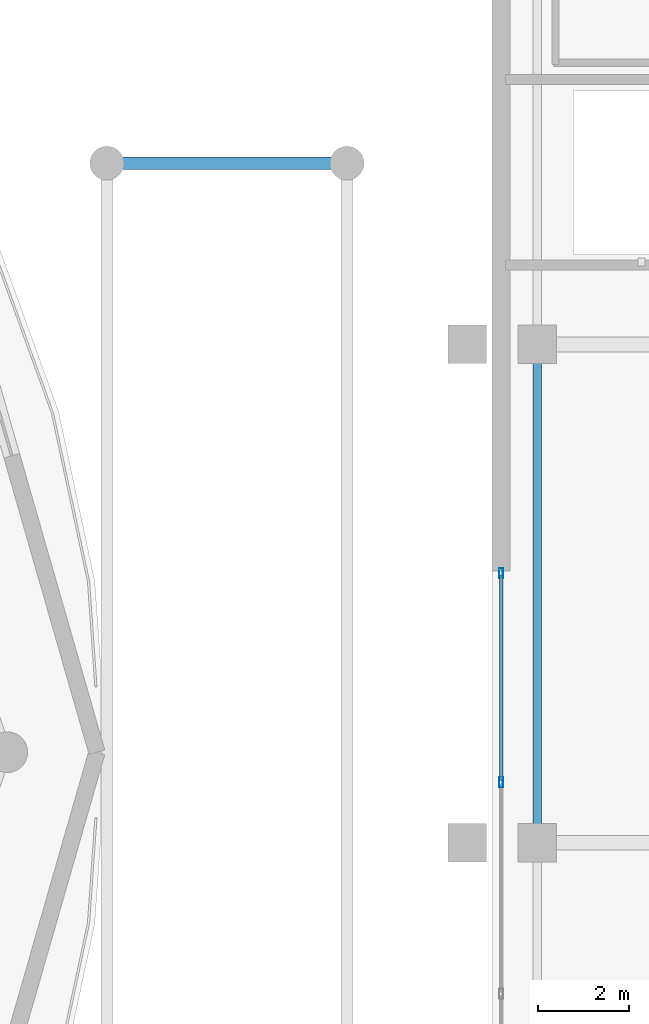
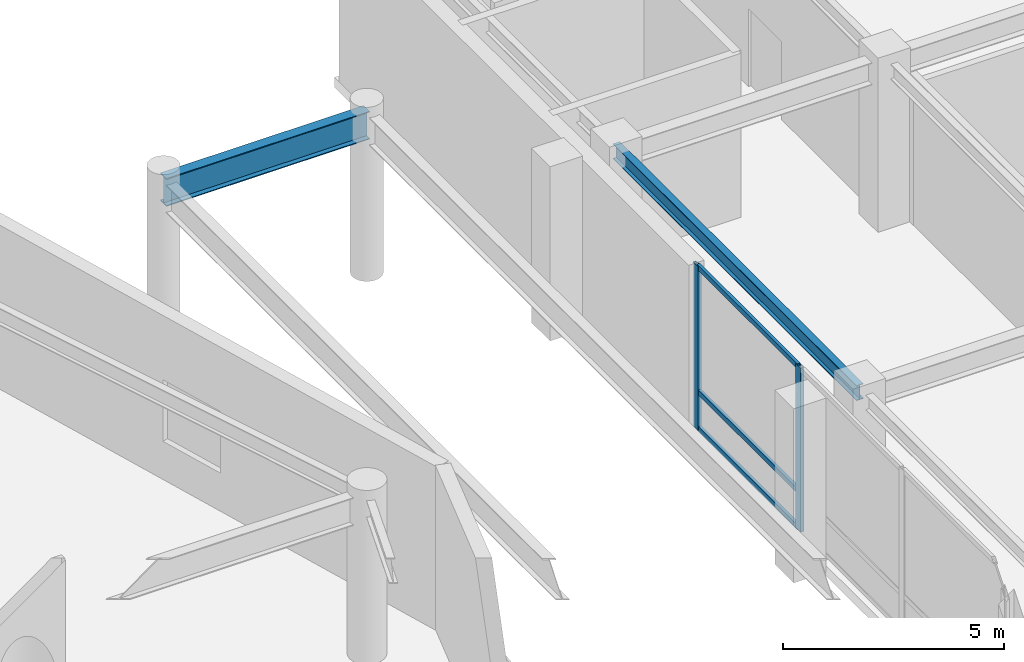
# One storey, part 18 of 40: 5 members, 2 beams, 1 element without a shape of its own.
"""IFC4 building model written with IfcOpenShell, lengths in metres."""

from ifc_helpers import new_model, si_unit, direction, frame, origin, origin_2d, place, context, subcontext, project, spatial, hollow_rectangle, i_section, extrude, material, layer, layer_set, material_profile, profile_set, type_object, element, aggregate, save


model = new_model("IFC4")

# Units and contexts
model_context = context("Model", 3, precision=1e-05, world=origin(), true_north=direction((0.0, 1.0)))
body_context = subcontext(model_context, "Body", "Model", "MODEL_VIEW")
ifc_project = project(units=[si_unit("LENGTHUNIT", "METRE"), si_unit("AREAUNIT", "SQUARE_METRE"), si_unit("VOLUMEUNIT", "CUBIC_METRE"), si_unit("PLANEANGLEUNIT", "RADIAN"), si_unit("MASSUNIT", "GRAM", prefix="KILO")], contexts=[model_context])

# Site, building, storey
site_placement = place(None, origin())
site = spatial("IfcSite", under=ifc_project, at=site_placement, CompositionType="ELEMENT")
building_placement = place(site_placement, origin())
building = spatial("IfcBuilding", under=site, at=building_placement, Name="Kazevale Care Tower and Concert Hall", CompositionType="ELEMENT")
storey_placement = place(building_placement, frame((0.0, 0.0, 9.60009765625)))
storey = spatial("IfcBuildingStorey", under=building, at=storey_placement, Name="L02", CompositionType="ELEMENT", Elevation=9.60009765625)

# Curtain wall, members
ifc_material_1 = material(Name="Aluminium 6063-T6 and Low-E Glass", Category="aluminium")
ifc_layer = layer(ifc_material_1, 0.179931640625)
ifc_layer_set = layer_set([ifc_layer], Name="Aluminium 6063-T6 and Low-E Glass")
curtain_wall_type = type_object("IfcCurtainWallType", Name="Concert Hall Foyer Storefront Curtain Wall CW-6", PredefinedType="NOTDEFINED", material=ifc_layer_set)
curtain_wall_placement = place(storey_placement, origin())
curtain_wall = element("IfcCurtainWall", 1, at=curtain_wall_placement, inside=storey, type_object=curtain_wall_type, Name="cw:L02:hall:W2", PredefinedType="NOTDEFINED")
ifc_material_2 = material(Name="Aluminium 6063-T6", Category="aluminium")
ifc_material_profile_1 = material_profile(ifc_material_2, hollow_rectangle(XDim=0.090087890625, YDim=0.219970703125, WallThickness=0.0048828125, at=origin_2d()), Name="ALU90x220x5")
ifc_profile_set_1 = profile_set([ifc_material_profile_1], Name="Aluminium 6063-T6")
member_type_1 = type_object("IfcMemberType", Name="CW-6 Mullion ALU90x220x5", PredefinedType="MULLION", material=ifc_profile_set_1)
member_1_placement = place(storey_placement, frame((96.199951171875, 41.955078125, 0.0), z_axis=(0.0, 0.0, 1.0), x_axis=(1.0, 0.0, 0.0)))
member_1 = element("IfcMember", 2, at=member_1_placement, type_object=member_type_1, Name="CW-6 mullion 1", PredefinedType="MULLION", context=body_context, shape_type="SweptSolid", body=[
    extrude(hollow_rectangle(XDim=0.090087890625, YDim=0.219970703125, WallThickness=0.0048828125, at=origin_2d()), origin(), (0.0, 0.0, 1.0), 4.52001953125),
])
member_2_placement = place(storey_placement, frame((96.199951171875, 37.333251953125, 0.0), z_axis=(0.0, 0.0, 1.0), x_axis=(1.0, 0.0, 0.0)))
member_2 = element("IfcMember", 3, at=member_2_placement, type_object=member_type_1, Name="CW-6 mullion 2", PredefinedType="MULLION", context=body_context, shape_type="SweptSolid", body=[
    extrude(hollow_rectangle(XDim=0.090087890625, YDim=0.219970703125, WallThickness=0.0048828125, at=origin_2d()), origin(), (0.0, 0.0, 1.0), 4.52001953125),
])
ifc_material_profile_2 = material_profile(ifc_material_2, hollow_rectangle(XDim=0.080078125, YDim=0.139892578125, WallThickness=0.00390625, at=origin_2d()), Name="ALU80x140x4")
ifc_profile_set_2 = profile_set([ifc_material_profile_2], Name="Aluminium 6063-T6")
member_type_2 = type_object("IfcMemberType", Name="CW-6 Transom ALU80x140x4", PredefinedType="USERDEFINED", material=ifc_profile_set_2)
member_3_placement = place(storey_placement, frame((96.199951171875, 41.909912109375, 0.039794921875), z_axis=(0.0, -1.0, 0.0), x_axis=(1.0, 0.0, 0.0)))
member_3 = element("IfcMember", 4, at=member_3_placement, type_object=member_type_2, Name="CW-6 transom 1.1", ObjectType="TRANSOM", PredefinedType="USERDEFINED", context=body_context, shape_type="SweptSolid", body=[
    extrude(hollow_rectangle(XDim=0.080078125, YDim=0.139892578125, WallThickness=0.00390625, at=origin_2d()), origin(), (0.0, 0.0, 1.0), 4.531494140625),
])
member_4_placement = place(storey_placement, frame((96.199951171875, 41.909912109375, 1.0498046875), z_axis=(0.0, -1.0, 0.0), x_axis=(1.0, 0.0, 0.0)))
member_4 = element("IfcMember", 5, at=member_4_placement, type_object=member_type_2, Name="CW-6 transom 1.2", ObjectType="TRANSOM", PredefinedType="USERDEFINED", context=body_context, shape_type="SweptSolid", body=[
    extrude(hollow_rectangle(XDim=0.080078125, YDim=0.139892578125, WallThickness=0.00390625, at=origin_2d()), origin(), (0.0, 0.0, 1.0), 4.531494140625),
])
member_5_placement = place(storey_placement, frame((96.199951171875, 41.909912109375, 4.47998046875), z_axis=(0.0, -1.0, 0.0), x_axis=(1.0, 0.0, 0.0)))
member_5 = element("IfcMember", 6, at=member_5_placement, type_object=member_type_2, Name="CW-6 transom 1.3", ObjectType="TRANSOM", PredefinedType="USERDEFINED", context=body_context, shape_type="SweptSolid", body=[
    extrude(hollow_rectangle(XDim=0.080078125, YDim=0.139892578125, WallThickness=0.00390625, at=origin_2d()), origin(), (0.0, 0.0, 1.0), 4.531494140625),
])
aggregate(curtain_wall, [member_1, member_2, member_3, member_4, member_5])

# Beams
ifc_material_3 = material(Name="Steel ASTM A572 Gr 50", Category="steel")
ifc_material_profile_3 = material_profile(ifc_material_3, i_section(OverallWidth=0.180908203125, OverallDepth=0.4169921875, WebThickness=0.010986328125, FlangeThickness=0.018310546875, at=origin_2d()), Name="W410x85")
ifc_profile_set_3 = profile_set([ifc_material_profile_3], Name="Steel ASTM A572 Gr 50")
beam_type_1 = type_object("IfcBeamType", Name="Concert Hall Secondary Beam W410x85", PredefinedType="BEAM", material=ifc_profile_set_3)
beam_1_placement = place(storey_placement, frame((97.0, 36.0, 4.3115234375), z_axis=(0.0, 1.0, 0.0), x_axis=(-1.0, 0.0, 0.0)))
element("IfcBeam", 7, at=beam_1_placement, inside=storey, type_object=beam_type_1, Name="beam:L02:hy:97_36", PredefinedType="BEAM", context=body_context, shape_type="SweptSolid", body=[
    extrude(i_section(OverallWidth=0.180908203125, OverallDepth=0.4169921875, WebThickness=0.010986328125, FlangeThickness=0.018310546875, at=origin_2d()), origin(), (0.0, 0.0, 1.0), 11.0),
])
ifc_material_profile_4 = material_profile(ifc_material_3, i_section(OverallWidth=0.26806640625, OverallDepth=0.77001953125, WebThickness=0.015625, FlangeThickness=0.025390625, at=origin_2d()), Name="W760x196")
ifc_profile_set_4 = profile_set([ifc_material_profile_4], Name="Steel ASTM A572 Gr 50")
beam_type_2 = type_object("IfcBeamType", Name="Podium Primary Girder W760x196", PredefinedType="BEAM", material=ifc_profile_set_4)
beam_2_placement = place(storey_placement, frame((92.800048828125, 51.0, 4.125), z_axis=(-1.0, 0.0, 0.0), x_axis=(0.0, -1.0, 0.0)))
element("IfcBeam", 8, at=beam_2_placement, inside=storey, type_object=beam_type_2, Name="beam:L02:gbox:3", PredefinedType="BEAM", context=body_context, shape_type="SweptSolid", body=[
    extrude(i_section(OverallWidth=0.26806640625, OverallDepth=0.77001953125, WebThickness=0.015625, FlangeThickness=0.025390625, at=origin_2d()), origin(), (0.0, 0.0, 1.0), 5.300048828125),
])

save(model, "model.ifc")
